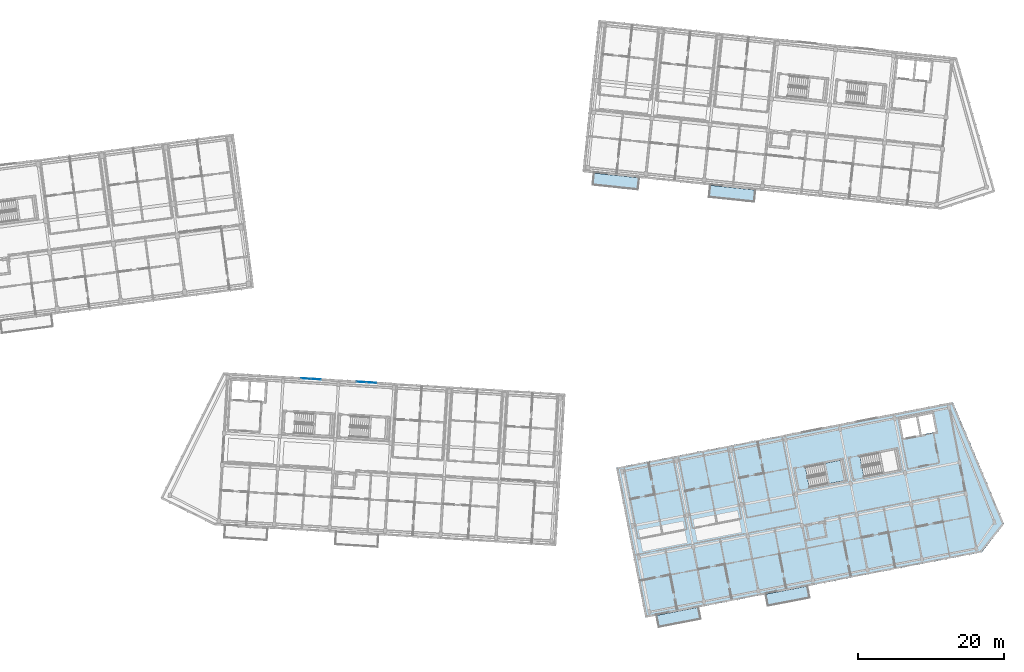
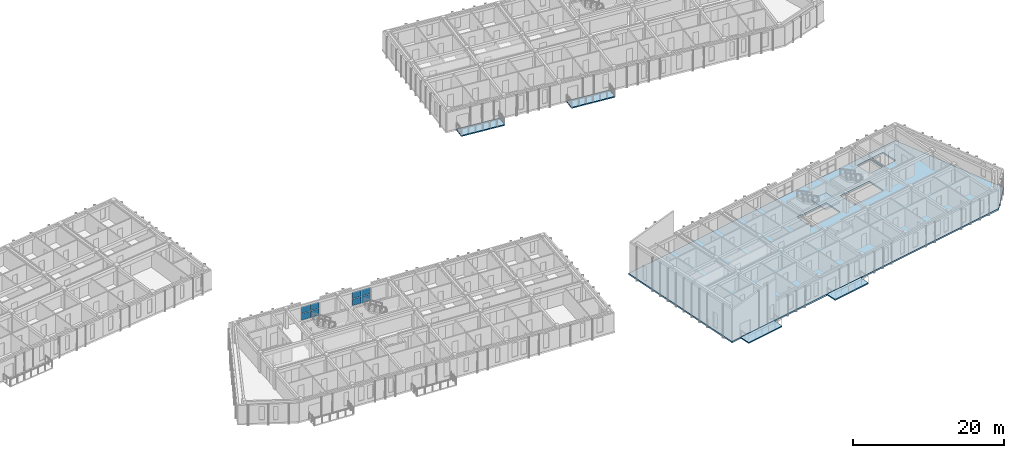
# One storey, part 17 of 65: 8 plates, 6 slabs, 3 elements without a shape of their own.
"""IFC4 building model written with IfcOpenShell, lengths in metres."""

from ifc_helpers import new_model, si_unit, direction, frame, origin, origin_2d, place, context, subcontext, project, spatial, polyline, rectangle, outline, extrude, material, layer, layer_set, type_object, element, aggregate, save


model = new_model("IFC4")

# Units and contexts
model_context = context("Model", 3, precision=1e-05, world=origin(), true_north=direction((0.0, 1.0)))
body_context = subcontext(model_context, "Body", "Model", "MODEL_VIEW")
ifc_project = project(units=[si_unit("LENGTHUNIT", "METRE"), si_unit("AREAUNIT", "SQUARE_METRE"), si_unit("VOLUMEUNIT", "CUBIC_METRE"), si_unit("PLANEANGLEUNIT", "RADIAN"), si_unit("MASSUNIT", "GRAM", prefix="KILO")], contexts=[model_context])

# Site, building, storey
site_placement = place(None, origin())
site = spatial("IfcSite", under=ifc_project, at=site_placement, CompositionType="ELEMENT")
building_placement = place(site_placement, origin())
building = spatial("IfcBuilding", under=site, at=building_placement, Name="Kestramere Prow Commons", CompositionType="ELEMENT")
storey_placement = place(building_placement, frame((0.0, 0.0, 21.39990234375)))
storey = spatial("IfcBuildingStorey", under=building, at=storey_placement, Name="L06", CompositionType="ELEMENT", Elevation=21.39990234375)

# Curtain wall, plates
ifc_material_1 = material(Name="Anodised Aluminium and Low-E Glass", Category="aluminium")
curtain_wall_type = type_object("IfcCurtainWallType", Name="CW-03 Glazed Curtain Wall 2830x2320", PredefinedType="USERDEFINED", material=ifc_material_1)
curtain_wall_1_placement = place(storey_placement, origin())
curtain_wall_1 = element("IfcCurtainWall", 1, at=curtain_wall_1_placement, inside=storey, type_object=curtain_wall_type, Name="Block C L06 Stairwell Vertical Glazing 2", ObjectType="GLAZED CURTAIN WALL", PredefinedType="USERDEFINED")
ifc_material_2 = material(Name="Low-E Laminated Double Glazing", Category="glass")
ifc_layer_1 = layer(ifc_material_2, 0.028076171875)
ifc_layer_set_1 = layer_set([ifc_layer_1], Name="Low-E Laminated Double Glazing")
plate_type = type_object("IfcPlateType", Name="CW-PNL-28", PredefinedType="CURTAIN_PANEL", material=ifc_layer_set_1)
plate_1_placement = place(storey_placement, frame((71.41748046875, 65.93359375, 0.065185546875), z_axis=(0.0, 0.0, 1.0), x_axis=(0.99813480569, -0.061048420708, 0.0)))
plate_1 = element("IfcPlate", 2, at=plate_1_placement, type_object=plate_type, Name="CW-03 panel 1.1", PredefinedType="CURTAIN_PANEL", context=body_context, shape_type="SweptSolid", body=[
    extrude(rectangle(XDim=1.3173828125, YDim=0.028076171875, at=origin_2d()), origin(), (0.0, 0.0, 1.0), 1.0625),
])
plate_2_placement = place(storey_placement, frame((71.41748046875, 65.93359375, 1.192626953125), z_axis=(0.0, 0.0, 1.0), x_axis=(0.99813480569, -0.061048420708, 0.0)))
plate_2 = element("IfcPlate", 3, at=plate_2_placement, type_object=plate_type, Name="CW-03 panel 1.2", PredefinedType="CURTAIN_PANEL", context=body_context, shape_type="SweptSolid", body=[
    extrude(rectangle(XDim=1.3173828125, YDim=0.028076171875, at=origin_2d()), origin(), (0.0, 0.0, 1.0), 1.0625),
])
plate_3_placement = place(storey_placement, frame((72.79736328125, 65.849365234375, 0.065185546875), z_axis=(0.0, 0.0, 1.0), x_axis=(0.99813480569, -0.061048420708, 0.0)))
plate_3 = element("IfcPlate", 4, at=plate_3_placement, type_object=plate_type, Name="CW-03 panel 2.1", PredefinedType="CURTAIN_PANEL", context=body_context, shape_type="SweptSolid", body=[
    extrude(rectangle(XDim=1.3173828125, YDim=0.028076171875, at=origin_2d()), origin(), (0.0, 0.0, 1.0), 1.0625),
])
plate_4_placement = place(storey_placement, frame((72.79736328125, 65.849365234375, 1.192626953125), z_axis=(0.0, 0.0, 1.0), x_axis=(0.99813480569, -0.061048420708, 0.0)))
plate_4 = element("IfcPlate", 5, at=plate_4_placement, type_object=plate_type, Name="CW-03 panel 2.2", PredefinedType="CURTAIN_PANEL", context=body_context, shape_type="SweptSolid", body=[
    extrude(rectangle(XDim=1.3173828125, YDim=0.028076171875, at=origin_2d()), origin(), (0.0, 0.0, 1.0), 1.0625),
])
aggregate(curtain_wall_1, [plate_1, plate_2, plate_3, plate_4])

curtain_wall_2_placement = place(storey_placement, origin())
curtain_wall_2 = element("IfcCurtainWall", 6, at=curtain_wall_2_placement, inside=storey, type_object=curtain_wall_type, Name="Block C L06 Stairwell Vertical Glazing 3", ObjectType="GLAZED CURTAIN WALL", PredefinedType="USERDEFINED")
plate_5_placement = place(storey_placement, frame((79.003173828125, 65.4697265625, 0.065185546875), z_axis=(0.0, 0.0, 1.0), x_axis=(0.998134807007, -0.061048399176, 0.0)))
plate_5 = element("IfcPlate", 7, at=plate_5_placement, type_object=plate_type, Name="CW-03 panel 1.1", PredefinedType="CURTAIN_PANEL", context=body_context, shape_type="SweptSolid", body=[
    extrude(rectangle(XDim=1.3173828125, YDim=0.028076171875, at=origin_2d()), origin(), (0.0, 0.0, 1.0), 1.0625),
])
plate_6_placement = place(storey_placement, frame((79.003173828125, 65.4697265625, 1.192626953125), z_axis=(0.0, 0.0, 1.0), x_axis=(0.998134807007, -0.061048399176, 0.0)))
plate_6 = element("IfcPlate", 8, at=plate_6_placement, type_object=plate_type, Name="CW-03 panel 1.2", PredefinedType="CURTAIN_PANEL", context=body_context, shape_type="SweptSolid", body=[
    extrude(rectangle(XDim=1.3173828125, YDim=0.028076171875, at=origin_2d()), origin(), (0.0, 0.0, 1.0), 1.0625),
])
plate_7_placement = place(storey_placement, frame((80.383056640625, 65.38525390625, 0.065185546875), z_axis=(0.0, 0.0, 1.0), x_axis=(0.998134807007, -0.061048399176, 0.0)))
plate_7 = element("IfcPlate", 9, at=plate_7_placement, type_object=plate_type, Name="CW-03 panel 2.1", PredefinedType="CURTAIN_PANEL", context=body_context, shape_type="SweptSolid", body=[
    extrude(rectangle(XDim=1.3173828125, YDim=0.028076171875, at=origin_2d()), origin(), (0.0, 0.0, 1.0), 1.0625),
])
plate_8_placement = place(storey_placement, frame((80.383056640625, 65.38525390625, 1.192626953125), z_axis=(0.0, 0.0, 1.0), x_axis=(0.998134807007, -0.061048399176, 0.0)))
plate_8 = element("IfcPlate", 10, at=plate_8_placement, type_object=plate_type, Name="CW-03 panel 2.2", PredefinedType="CURTAIN_PANEL", context=body_context, shape_type="SweptSolid", body=[
    extrude(rectangle(XDim=1.3173828125, YDim=0.028076171875, at=origin_2d()), origin(), (0.0, 0.0, 1.0), 1.0625),
])
aggregate(curtain_wall_2, [plate_5, plate_6, plate_7, plate_8])

# Slabs
ifc_material_3 = material(Name="Precast concrete C40/50", Category="concrete")
ifc_layer_2 = layer(ifc_material_3, 0.179931640625)
ifc_layer_set_2 = layer_set([ifc_layer_2], Name="Precast concrete C40/50")
slab_type_1 = type_object("IfcSlabType", Name="SL-BALC-180", PredefinedType="FLOOR", material=ifc_layer_set_2)
slab_1_placement = place(storey_placement, frame((0.0, 0.0, -0.179931640625)))
element("IfcSlab", 11, at=slab_1_placement, inside=storey, type_object=slab_type_1, Name="Block B L06 Apartment Balcony Slab 1", PredefinedType="FLOOR", context=body_context, shape_type="SweptSolid", body=[
    extrude(outline(polyline([(110.60498046875, 92.423828125), (116.870361328125, 91.76513671875), (117.04296875, 93.40625), (110.77734375, 94.064697265625), (110.60498046875, 92.423828125)])), origin(), (0.0, 0.0, 1.0), 0.179931640625),
])
slab_2_placement = place(storey_placement, frame((0.0, 0.0, -0.179931640625)))
element("IfcSlab", 12, at=slab_2_placement, inside=storey, type_object=slab_type_1, Name="Block B L06 Apartment Balcony Slab 3", PredefinedType="FLOOR", context=body_context, shape_type="SweptSolid", body=[
    extrude(outline(polyline([(126.517333984375, 90.751220703125), (132.78271484375, 90.0927734375), (132.955322265625, 91.733642578125), (126.689697265625, 92.392333984375), (126.517333984375, 90.751220703125)])), origin(), (0.0, 0.0, 1.0), 0.179931640625),
])
slab_3_placement = place(storey_placement, frame((0.0, 0.0, -0.179931640625)))
element("IfcSlab", 13, at=slab_3_placement, inside=storey, type_object=slab_type_1, Name="Block D L06 Apartment Balcony Slab 1", PredefinedType="FLOOR", context=body_context, shape_type="SweptSolid", body=[
    extrude(outline(polyline([(119.67333984375, 31.904541015625), (125.46484375, 33.0302734375), (125.14990234375, 34.64990234375), (119.3583984375, 33.524169921875), (119.67333984375, 31.904541015625)])), origin(), (0.0, 0.0, 1.0), 0.179931640625),
])
slab_4_placement = place(storey_placement, frame((0.0, 0.0, -0.179931640625)))
element("IfcSlab", 14, at=slab_4_placement, inside=storey, type_object=slab_type_1, Name="Block D L06 Apartment Balcony Slab 3", PredefinedType="FLOOR", context=body_context, shape_type="SweptSolid", body=[
    extrude(outline(polyline([(134.593994140625, 34.8046875), (140.385498046875, 35.930419921875), (140.07080078125, 37.55029296875), (134.279052734375, 36.42431640625), (134.593994140625, 34.8046875)])), origin(), (0.0, 0.0, 1.0), 0.179931640625),
])
ifc_layer_3 = layer(ifc_material_3, 0.25)
ifc_layer_set_3 = layer_set([ifc_layer_3], Name="Precast concrete C40/50")
slab_type_2 = type_object("IfcSlabType", Name="SL-HC-250", PredefinedType="FLOOR", material=ifc_layer_set_3)
slab_5_placement = place(storey_placement, frame((0.0, 0.0, -0.25)))
element("IfcSlab", 15, at=slab_5_placement, inside=storey, type_object=slab_type_2, Name="Block D L06 Hollowcore Floor Slab", PredefinedType="FLOOR", context=body_context, shape_type="SweptSolid", body=[
    extrude(outline(polyline([(117.885986328125, 33.238037109375), (163.92431640625, 42.186767578125), (166.936279296875, 46.083251953125), (159.936279296875, 62.702880859375), (113.89794921875, 53.75390625), (117.885986328125, 33.238037109375)]), holes=[polyline([(153.1533203125, 57.767822265625), (155.4111328125, 58.206787109375), (154.924560546875, 60.7099609375), (152.666748046875, 60.27099609375), (153.1533203125, 57.767822265625)]), polyline([(155.656494140625, 58.25439453125), (157.619873046875, 58.63623046875), (157.13330078125, 61.13916015625), (155.169921875, 60.757568359375), (155.656494140625, 58.25439453125)]), polyline([(140.300537109375, 51.0419921875), (145.306884765625, 52.01513671875), (144.76318359375, 54.812744140625), (139.7568359375, 53.839599609375), (140.300537109375, 51.0419921875)]), polyline([(147.760986328125, 52.4921875), (152.767333984375, 53.46533203125), (152.223388671875, 56.262939453125), (147.21728515625, 55.289794921875), (147.760986328125, 52.4921875)])]), origin(), (0.0, 0.0, 1.0), 0.25),
])

# Stair, slab
ifc_material_4 = material(Name="Concrete C40/50", Category="concrete")
stair_type = type_object("IfcStairType", Name="ST-DOG-1350", PredefinedType="HALF_TURN_STAIR", material=ifc_material_4)
stair_placement = place(storey_placement, origin())
stair = element("IfcStair", 16, at=stair_placement, inside=storey, type_object=stair_type, Name="L06 Block D Exit Stair 1", PredefinedType="HALF_TURN_STAIR")
ifc_layer_4 = layer(ifc_material_4, 0.199951171875)
ifc_layer_set_4 = layer_set([ifc_layer_4], Name="Concrete C40/50")
slab_type_3 = type_object("IfcSlabType", Name="SL-ST-LAND-200", PredefinedType="LANDING", material=ifc_layer_set_4)
slab_6_placement = place(storey_placement, frame((0.0, 0.0, 1.425048828125)))
slab_6 = element("IfcSlab", 17, at=slab_6_placement, type_object=slab_type_3, Name="ST-D1 landing 1", PredefinedType="LANDING", context=body_context, shape_type="SweptSolid", body=[
    extrude(outline(polyline([(142.7744140625, 51.522705078125), (145.306884765625, 52.01513671875), (144.76318359375, 54.812744140625), (142.23046875, 54.3203125), (142.7744140625, 51.522705078125)])), origin(), (0.0, 0.0, 1.0), 0.199951171875),
])
aggregate(stair, [slab_6])

save(model, "model.ifc")
